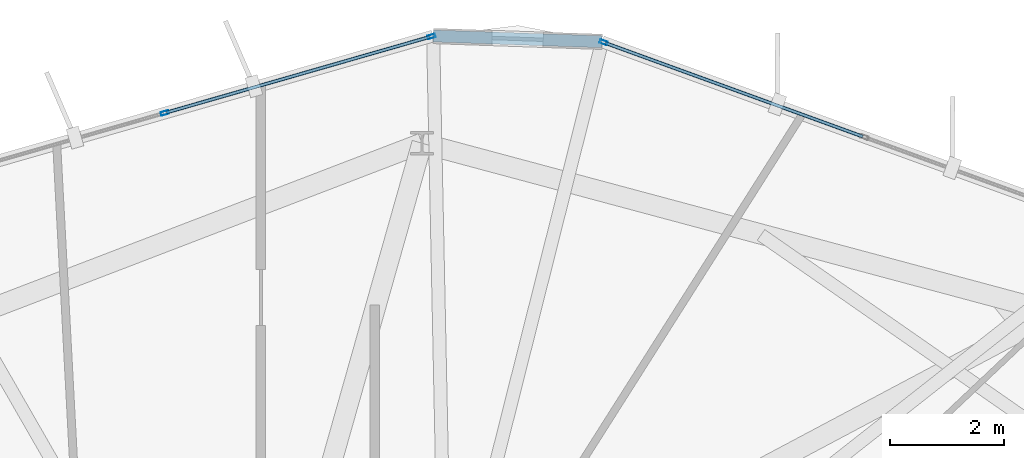
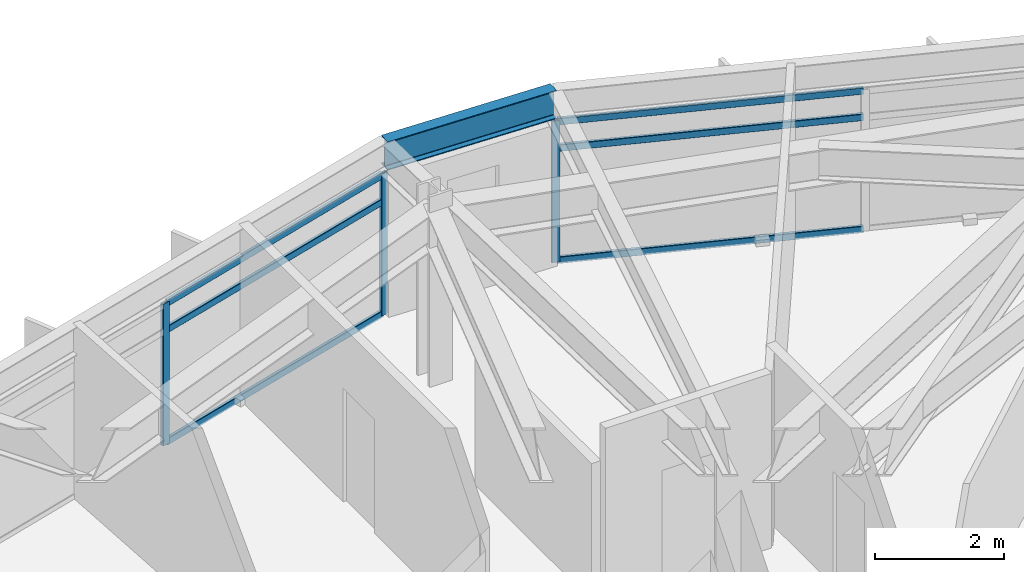
# One storey, part 19 of 30: 9 members, 1 beam, 2 elements without a shape of their own.
"""IFC4 building model written with IfcOpenShell, lengths in metres."""

from ifc_helpers import new_model, si_unit, direction, frame, origin, origin_2d, place, context, subcontext, project, spatial, hollow_rectangle, i_section, extrude, material, layer, layer_set, material_profile, profile_set, type_object, element, aggregate, save


model = new_model("IFC4")

# Units and contexts
model_context = context("Model", 3, precision=1e-05, world=origin(), true_north=direction((0.0, 1.0)))
body_context = subcontext(model_context, "Body", "Model", "MODEL_VIEW")
ifc_project = project(units=[si_unit("LENGTHUNIT", "METRE"), si_unit("AREAUNIT", "SQUARE_METRE"), si_unit("VOLUMEUNIT", "CUBIC_METRE"), si_unit("PLANEANGLEUNIT", "RADIAN"), si_unit("MASSUNIT", "GRAM", prefix="KILO")], contexts=[model_context])

# Site, building, storey
site_placement = place(None, origin())
site = spatial("IfcSite", under=ifc_project, at=site_placement, CompositionType="ELEMENT")
building_placement = place(site_placement, origin())
building = spatial("IfcBuilding", under=site, at=building_placement, Name="Soratama Intermodal Tower", CompositionType="ELEMENT")
storey_placement = place(building_placement, frame((0.0, 0.0, 223.0)))
storey = spatial("IfcBuildingStorey", under=building, at=storey_placement, Name="L56", CompositionType="ELEMENT", Elevation=223.0)

# Beam
ifc_material_1 = material(Name="Structural steel ASTM A992 Grade 50", Category="steel")
ifc_material_profile_1 = material_profile(ifc_material_1, i_section(OverallWidth=0.2099609375, OverallDepth=0.537109375, WebThickness=0.010986328125, FlangeThickness=0.017333984375, FilletRadius=0.012939453125, at=origin_2d()), Name="W21X68")
ifc_profile_set_1 = profile_set([ifc_material_profile_1], Name="Structural steel ASTM A992 Grade 50")
beam_type = type_object("IfcBeamType", Name="BM-SPN-W21X68", PredefinedType="SPANDREL", material=ifc_profile_set_1)
beam_placement = place(storey_placement, frame((47.18798828125, 45.35498046875, 3.031494140625), z_axis=(-0.999408245046, 0.034397089043, 0.0), x_axis=(-0.034397089043, -0.999408245046, 0.0)))
element("IfcBeam", 1, at=beam_placement, inside=storey, type_object=beam_type, Name="BS-L56-CRN01", PredefinedType="SPANDREL", context=body_context, shape_type="SweptSolid", body=[
    extrude(i_section(OverallWidth=0.2099609375, OverallDepth=0.537109375, WebThickness=0.010986328125, FlangeThickness=0.017333984375, FilletRadius=0.012939453125, at=origin_2d()), origin(), (0.0, 0.0, 1.0), 2.966796875),
])

# Curtain wall, member
ifc_material_2 = material(Name="Double-glazed aluminium curtain wall", Category="aluminium")
ifc_layer = layer(ifc_material_2, 0.159912109375)
ifc_layer_set = layer_set([ifc_layer], Name="Double-glazed aluminium curtain wall")
curtain_wall_type = type_object("IfcCurtainWallType", Name="CW-SYS-5", PredefinedType="NOTDEFINED", material=ifc_layer_set)
curtain_wall_1_placement = place(storey_placement, origin())
curtain_wall_1 = element("IfcCurtainWall", 2, at=curtain_wall_1_placement, inside=storey, type_object=curtain_wall_type, Name="L56 Faceted Curtain Wall F01", PredefinedType="NOTDEFINED")
ifc_material_3 = material(Name="Anodised aluminium AA 6063-T6", Category="aluminium")
ifc_material_profile_2 = material_profile(ifc_material_3, hollow_rectangle(XDim=0.06494140625, YDim=0.139892578125, WallThickness=0.0048828125, InnerFilletRadius=0.0048828125, OuterFilletRadius=0.010009765625, at=origin_2d()), Name="CWM140X65X5")
ifc_profile_set_2 = profile_set([ifc_material_profile_2], Name="Anodised aluminium AA 6063-T6")
member_type_1 = type_object("IfcMemberType", Name="MT-CWM-5", PredefinedType="MULLION", material=ifc_profile_set_2)
member_1_placement = place(storey_placement, frame((47.216064453125, 45.34423828125, 0.0), z_axis=(0.0, 0.0, 1.0), x_axis=(-0.34169553132, -0.939810706406, 0.0)))
member_1 = element("IfcMember", 3, at=member_1_placement, type_object=member_type_1, Name="CW-5 mullion 3", PredefinedType="MULLION", context=body_context, shape_type="SweptSolid", body=[
    extrude(hollow_rectangle(XDim=0.06494140625, YDim=0.139892578125, WallThickness=0.0048828125, InnerFilletRadius=0.0048828125, OuterFilletRadius=0.010009765625, at=origin_2d()), origin(), (0.0, 0.0, 1.0), 2.678955078125),
])

# Curtain wall, members
curtain_wall_2_placement = place(storey_placement, origin())
curtain_wall_2 = element("IfcCurtainWall", 4, at=curtain_wall_2_placement, inside=storey, type_object=curtain_wall_type, Name="L56 Faceted Curtain Wall F02", PredefinedType="NOTDEFINED")
member_2_placement = place(storey_placement, frame((44.1943359375, 45.44873046875, 0.0), z_axis=(0.0, 0.0, 1.0), x_axis=(0.275973211633, -0.96116532733, 0.0)))
member_2 = element("IfcMember", 5, at=member_2_placement, type_object=member_type_1, Name="CW-5 mullion 1", PredefinedType="MULLION", context=body_context, shape_type="SweptSolid", body=[
    extrude(hollow_rectangle(XDim=0.06494140625, YDim=0.139892578125, WallThickness=0.0048828125, InnerFilletRadius=0.0048828125, OuterFilletRadius=0.010009765625, at=origin_2d()), origin(), (0.0, 0.0, 1.0), 2.678955078125),
])
member_3_placement = place(storey_placement, frame((39.514404296875, 44.105224609375, 0.0), z_axis=(0.0, 0.0, 1.0), x_axis=(0.275973211633, -0.96116532733, 0.0)))
member_3 = element("IfcMember", 6, at=member_3_placement, type_object=member_type_1, Name="CW-5 mullion 2", PredefinedType="MULLION", context=body_context, shape_type="SweptSolid", body=[
    extrude(hollow_rectangle(XDim=0.06494140625, YDim=0.139892578125, WallThickness=0.0048828125, InnerFilletRadius=0.0048828125, OuterFilletRadius=0.010009765625, at=origin_2d()), origin(), (0.0, 0.0, 1.0), 2.678955078125),
])

# Member
ifc_material_4 = material(Name="Anodised aluminium AA 6063-T6", Category="aluminium")
ifc_material_profile_3 = material_profile(ifc_material_4, hollow_rectangle(XDim=0.06005859375, YDim=0.1298828125, WallThickness=0.0048828125, InnerFilletRadius=0.0048828125, OuterFilletRadius=0.010009765625, at=origin_2d()), Name="CWT130X60X5")
ifc_profile_set_3 = profile_set([ifc_material_profile_3], Name="Anodised aluminium AA 6063-T6")
member_type_2 = type_object("IfcMemberType", Name="TT-CWT-2", PredefinedType="USERDEFINED", material=ifc_profile_set_3)
member_4_placement = place(storey_placement, frame((51.763671875, 43.69091796875, 0.030029296875), z_axis=(-0.939814174693, 0.34168599188, 0.0), x_axis=(-0.34168599188, -0.939814174693, 0.0)))
member_4 = element("IfcMember", 7, at=member_4_placement, type_object=member_type_2, Name="CW-5 transom 2.1", ObjectType="TRANSOM", PredefinedType="USERDEFINED", context=body_context, shape_type="SweptSolid", body=[
    extrude(hollow_rectangle(XDim=0.06005859375, YDim=0.1298828125, WallThickness=0.0048828125, InnerFilletRadius=0.0048828125, OuterFilletRadius=0.010009765625, at=origin_2d()), origin(), (0.0, 0.0, 1.0), 4.80859375),
])

member_5_placement = place(storey_placement, frame((51.763671875, 43.69091796875, 2.14990234375), z_axis=(-0.939814174693, 0.34168599188, 0.0), x_axis=(-0.34168599188, -0.939814174693, 0.0)))
member_5 = element("IfcMember", 8, at=member_5_placement, type_object=member_type_2, Name="CW-5 transom 2.2", ObjectType="TRANSOM", PredefinedType="USERDEFINED", context=body_context, shape_type="SweptSolid", body=[
    extrude(hollow_rectangle(XDim=0.06005859375, YDim=0.1298828125, WallThickness=0.0048828125, InnerFilletRadius=0.0048828125, OuterFilletRadius=0.010009765625, at=origin_2d()), origin(), (0.0, 0.0, 1.0), 4.80859375),
])

member_6_placement = place(storey_placement, frame((51.763671875, 43.69091796875, 2.64892578125), z_axis=(-0.939814174693, 0.34168599188, 0.0), x_axis=(-0.34168599188, -0.939814174693, 0.0)))
member_6 = element("IfcMember", 9, at=member_6_placement, type_object=member_type_2, Name="CW-5 transom 2.3", ObjectType="TRANSOM", PredefinedType="USERDEFINED", context=body_context, shape_type="SweptSolid", body=[
    extrude(hollow_rectangle(XDim=0.06005859375, YDim=0.1298828125, WallThickness=0.0048828125, InnerFilletRadius=0.0048828125, OuterFilletRadius=0.010009765625, at=origin_2d()), origin(), (0.0, 0.0, 1.0), 4.80859375),
])

aggregate(curtain_wall_1, [member_1, member_4, member_5, member_6])

member_7_placement = place(storey_placement, frame((44.16552734375, 45.4404296875, 0.030029296875), z_axis=(-0.961180278746, -0.275921133206, 0.0), x_axis=(0.275921133206, -0.961180278746, 0.0)))
member_7 = element("IfcMember", 10, at=member_7_placement, type_object=member_type_2, Name="CW-5 transom 1.1", ObjectType="TRANSOM", PredefinedType="USERDEFINED", context=body_context, shape_type="SweptSolid", body=[
    extrude(hollow_rectangle(XDim=0.06005859375, YDim=0.1298828125, WallThickness=0.0048828125, InnerFilletRadius=0.0048828125, OuterFilletRadius=0.010009765625, at=origin_2d()), origin(), (0.0, 0.0, 1.0), 4.80908203125),
])

member_8_placement = place(storey_placement, frame((44.16552734375, 45.4404296875, 2.14990234375), z_axis=(-0.961180278746, -0.275921133206, 0.0), x_axis=(0.275921133206, -0.961180278746, 0.0)))
member_8 = element("IfcMember", 11, at=member_8_placement, type_object=member_type_2, Name="CW-5 transom 1.2", ObjectType="TRANSOM", PredefinedType="USERDEFINED", context=body_context, shape_type="SweptSolid", body=[
    extrude(hollow_rectangle(XDim=0.06005859375, YDim=0.1298828125, WallThickness=0.0048828125, InnerFilletRadius=0.0048828125, OuterFilletRadius=0.010009765625, at=origin_2d()), origin(), (0.0, 0.0, 1.0), 4.80908203125),
])

member_9_placement = place(storey_placement, frame((44.16552734375, 45.4404296875, 2.64892578125), z_axis=(-0.961180278746, -0.275921133206, 0.0), x_axis=(0.275921133206, -0.961180278746, 0.0)))
member_9 = element("IfcMember", 12, at=member_9_placement, type_object=member_type_2, Name="CW-5 transom 1.3", ObjectType="TRANSOM", PredefinedType="USERDEFINED", context=body_context, shape_type="SweptSolid", body=[
    extrude(hollow_rectangle(XDim=0.06005859375, YDim=0.1298828125, WallThickness=0.0048828125, InnerFilletRadius=0.0048828125, OuterFilletRadius=0.010009765625, at=origin_2d()), origin(), (0.0, 0.0, 1.0), 4.80908203125),
])

aggregate(curtain_wall_2, [member_2, member_3, member_7, member_8, member_9])

save(model, "model.ifc")
